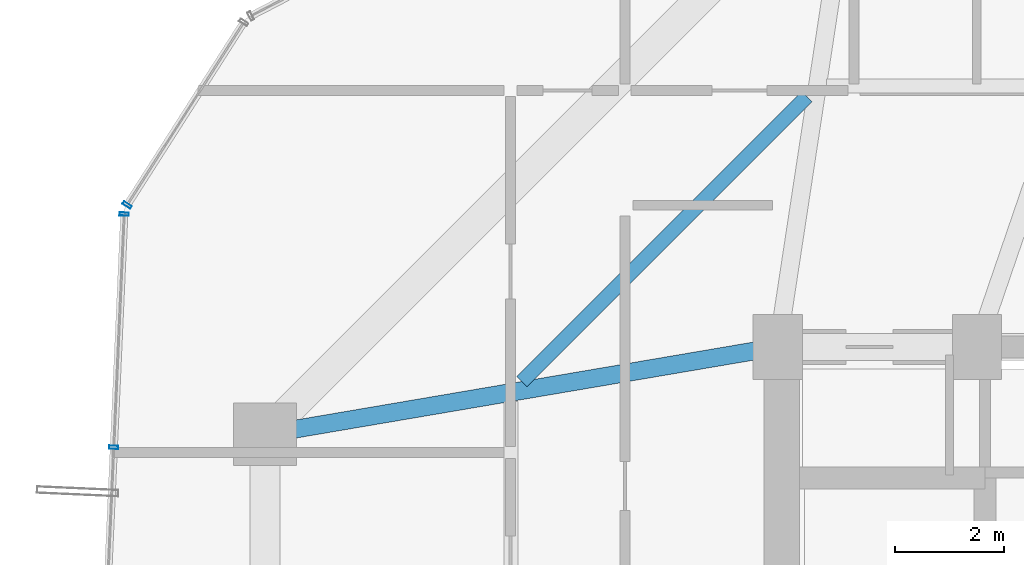
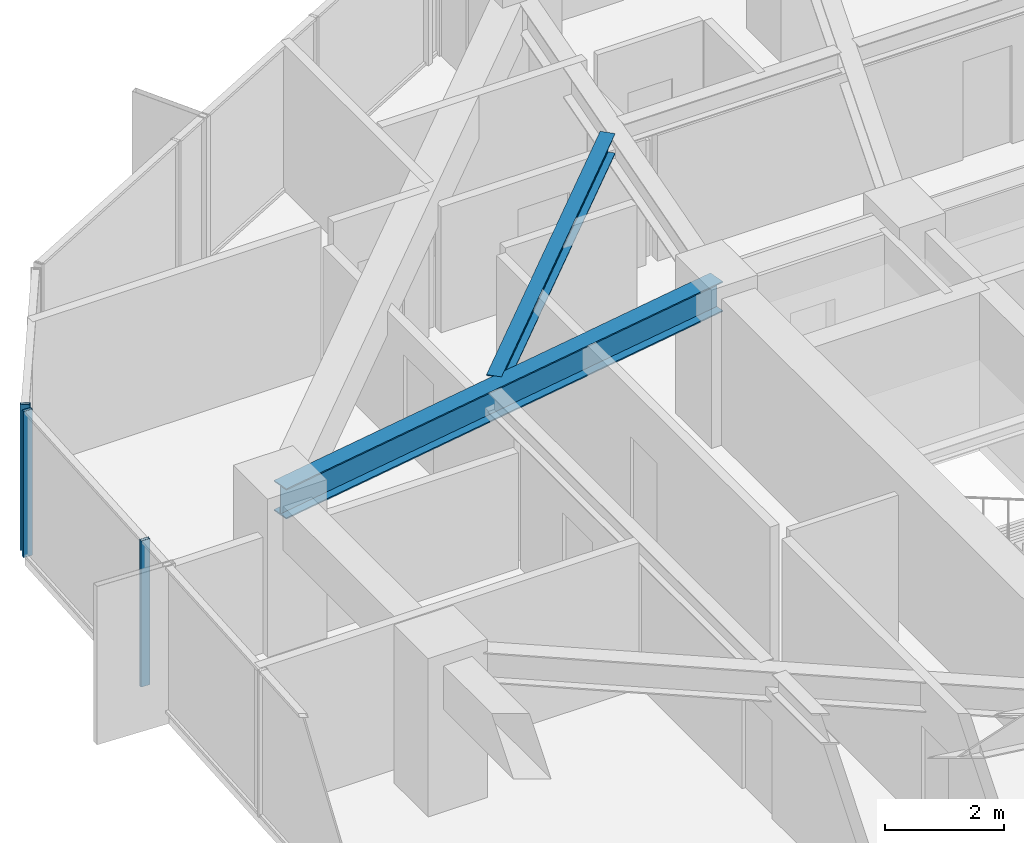
# One storey, part 10 of 30: 3 members, 2 beams, 2 elements without a shape of their own.
"""IFC4 building model written with IfcOpenShell, lengths in metres."""

from ifc_helpers import new_model, si_unit, direction, frame, origin, origin_2d, place, context, subcontext, project, spatial, hollow_rectangle, i_section, extrude, source, transform, mapped, material, layer, layer_set, material_profile, profile_set, type_object, element, aggregate, save


model = new_model("IFC4")

# Units and contexts
model_context = context("Model", 3, precision=1e-05, world=origin(), true_north=direction((0.0, 1.0)))
body_context = subcontext(model_context, "Body", "Model", "MODEL_VIEW")
ifc_project = project(units=[si_unit("LENGTHUNIT", "METRE"), si_unit("AREAUNIT", "SQUARE_METRE"), si_unit("VOLUMEUNIT", "CUBIC_METRE"), si_unit("PLANEANGLEUNIT", "RADIAN"), si_unit("MASSUNIT", "GRAM", prefix="KILO")], contexts=[model_context])

# Site, building, storey
site_placement = place(None, origin())
site = spatial("IfcSite", under=ifc_project, at=site_placement, CompositionType="ELEMENT")
building_placement = place(site_placement, origin())
building = spatial("IfcBuilding", under=site, at=building_placement, Name="Veraguas Prism Commons", CompositionType="ELEMENT")
storey_placement = place(building_placement, frame((0.0, 0.0, 119.75)))
storey = spatial("IfcBuildingStorey", under=building, at=storey_placement, Name="L33", CompositionType="ELEMENT", Elevation=119.75)

# Beams
ifc_material_1 = material(Name="Steel ASTM A992 Grade 50", Category="steel")
ifc_material_profile_1 = material_profile(ifc_material_1, i_section(OverallWidth=0.260986328125, OverallDepth=0.419921875, WebThickness=0.01171875, FlangeThickness=0.019287109375, at=origin_2d()), Name="W410X114")
ifc_profile_set_1 = profile_set([ifc_material_profile_1], Name="Steel ASTM A992 Grade 50")
beam_type_1 = type_object("IfcBeamType", Name="Lower Floor Joist W410x114", PredefinedType="JOIST", material=ifc_profile_set_1)
beam_1_placement = place(storey_placement, frame((17.734619140625, 35.5908203125, 2.7900390625), z_axis=(-0.707090260193, -0.707123301794, 0.0), x_axis=(0.707123301794, -0.707090260193, 0.0)))
element("IfcBeam", 1, at=beam_1_placement, inside=storey, type_object=beam_type_1, Name="Composite Floor Joist L33-JS06", PredefinedType="JOIST", context=body_context, shape_type="SweptSolid", body=[
    extrude(i_section(OverallWidth=0.260986328125, OverallDepth=0.419921875, WebThickness=0.01171875, FlangeThickness=0.019287109375, at=origin_2d()), origin(), (0.0, 0.0, 1.0), 7.388916015625),
])
ifc_material_profile_2 = material_profile(ifc_material_1, i_section(OverallWidth=0.327880859375, OverallDepth=0.6220703125, WebThickness=0.015380859375, FlangeThickness=0.0244140625, at=origin_2d()), Name="W610X195")
ifc_profile_set_2 = profile_set([ifc_material_profile_2], Name="Steel ASTM A992 Grade 50")
beam_type_2 = type_object("IfcBeamType", Name="Zone 2 Radial Girder W610x195", PredefinedType="BEAM", material=ifc_profile_set_2)
beam_2_placement = place(storey_placement, frame((7.800048828125, 29.39990234375, 2.68896484375), z_axis=(0.985819187151, 0.1678109956, 0.0), x_axis=(-0.1678109956, 0.985819187151, 0.0)))
element("IfcBeam", 2, at=beam_2_placement, inside=storey, type_object=beam_type_2, Name="Radial Floor Girder L33-RD07", PredefinedType="BEAM", context=body_context, shape_type="SweptSolid", body=[
    extrude(i_section(OverallWidth=0.327880859375, OverallDepth=0.6220703125, WebThickness=0.015380859375, FlangeThickness=0.0244140625, at=origin_2d()), origin(), (0.0, 0.0, 1.0), 9.53515625),
])

# Curtain wall, members
ifc_material_2 = material(Name="Anodised aluminium EN AW-6063 T6", Category="aluminium")
ifc_layer = layer(ifc_material_2, 0.169921875, Name="Unitised Flush Curtain Wall Zone 2", Category="aluminium")
ifc_layer_set = layer_set([ifc_layer], Name="Anodised aluminium EN AW-6063 T6")
curtain_wall_type = type_object("IfcCurtainWallType", Name="Unitised Flush Curtain Wall Zone 2", PredefinedType="NOTDEFINED", material=ifc_layer_set)
curtain_wall_1_placement = place(storey_placement, origin())
curtain_wall_1 = element("IfcCurtainWall", 3, at=curtain_wall_1_placement, inside=storey, type_object=curtain_wall_type, Name="Tower Facade Curtain Wall L33-F3", PredefinedType="NOTDEFINED")
ifc_material_profile_3 = material_profile(ifc_material_2, hollow_rectangle(XDim=0.06005859375, YDim=0.169921875, WallThickness=0.00390625, at=origin_2d()), Name="AL60X170X4")
ifc_profile_set_3 = profile_set([ifc_material_profile_3], Name="Anodised aluminium EN AW-6063 T6")
member_type = type_object("IfcMemberType", Name="Curtain Wall Mullion Lower AL 60x170x4", PredefinedType="MULLION", material=ifc_profile_set_3)
shared_shape = source(origin(), body_context, "Body", "SweptSolid", [
    extrude(hollow_rectangle(XDim=0.06005859375, YDim=0.169921875, WallThickness=0.00390625, at=origin_2d()), origin(), (0.0, 0.0, 1.0), 3.0),
])
member_1_placement = place(storey_placement, frame((5.22021484375, 33.435546875, 0.0), z_axis=(0.0, 0.0, 1.0), x_axis=(-0.044667307696, -0.999001917728, 0.0)))
member_1 = element("IfcMember", 4, at=member_1_placement, type_object=member_type, Name="CW-Z2 Mullion 1", PredefinedType="MULLION", context=body_context, shape_type="MappedRepresentation", body=[
    mapped(shared_shape, transform((0.0, 0.0, 0.0), scale=1.0)),
])
member_2_placement = place(storey_placement, frame((5.029052734375, 29.1611328125, 0.0), z_axis=(0.0, 0.0, 1.0), x_axis=(-0.044667307696, -0.999001917728, 0.0)))
member_2 = element("IfcMember", 5, at=member_2_placement, type_object=member_type, Name="CW-Z2 Mullion 2", PredefinedType="MULLION", context=body_context, shape_type="MappedRepresentation", body=[
    mapped(shared_shape, transform((0.0, 0.0, 0.0), scale=1.0)),
])
aggregate(curtain_wall_1, [member_1, member_2])

# Curtain wall, member
curtain_wall_2_placement = place(storey_placement, origin())
curtain_wall_2 = element("IfcCurtainWall", 6, at=curtain_wall_2_placement, inside=storey, type_object=curtain_wall_type, Name="Chamfer Curtain Wall L33-C3", PredefinedType="NOTDEFINED")
member_3_placement = place(storey_placement, frame((5.272705078125, 33.60107421875, 0.0), z_axis=(0.0, 0.0, 1.0), x_axis=(-0.53817662697, -0.842832081843, 0.0)))
member_3 = element("IfcMember", 7, at=member_3_placement, type_object=member_type, Name="CW-Z2 Mullion 2", PredefinedType="MULLION", context=body_context, shape_type="MappedRepresentation", body=[
    mapped(shared_shape, transform((0.0, 0.0, 0.0), scale=1.0)),
])
aggregate(curtain_wall_2, [member_3])

save(model, "model.ifc")
